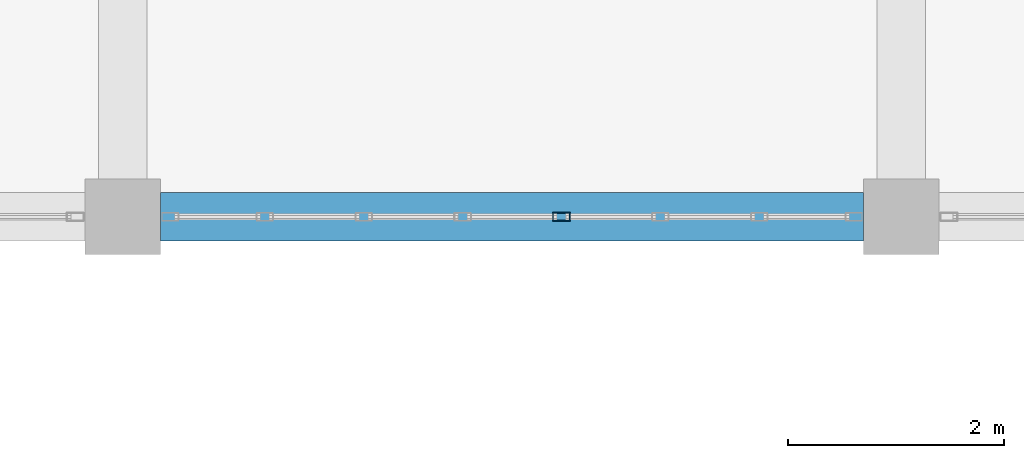
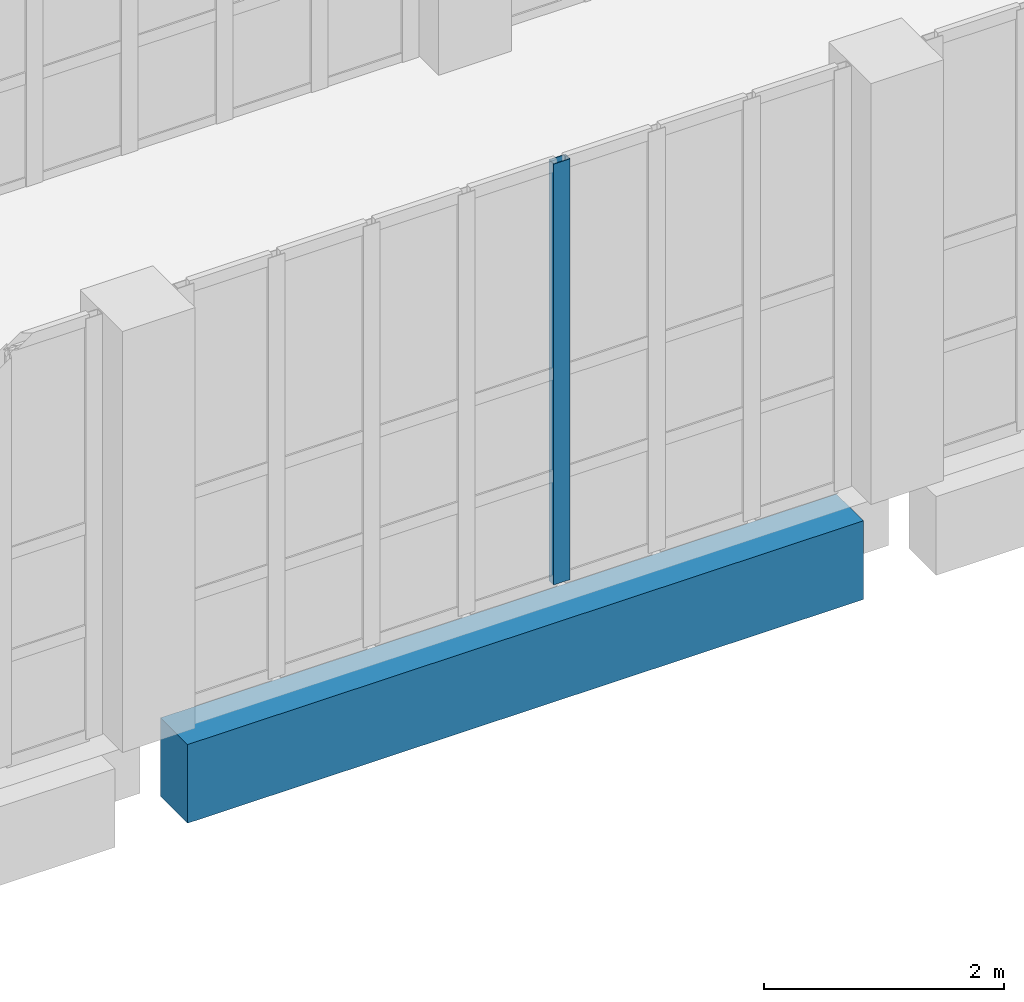
# One storey, part 23 of 108: 1 beam, 1 member, 1 element without a shape of its own.
"""IFC4 building model written with IfcOpenShell, lengths in metres."""

from ifc_helpers import new_model, si_unit, direction, frame, origin, origin_2d, place, context, subcontext, project, spatial, rectangle, hollow_rectangle, extrude, material, layer, layer_set, material_profile, profile_set, type_object, element, aggregate, save


model = new_model("IFC4")

# Units and contexts
model_context = context("Model", 3, precision=1e-05, world=origin(), true_north=direction((0.0, 1.0)))
body_context = subcontext(model_context, "Body", "Model", "MODEL_VIEW")
ifc_project = project(units=[si_unit("LENGTHUNIT", "METRE"), si_unit("AREAUNIT", "SQUARE_METRE"), si_unit("VOLUMEUNIT", "CUBIC_METRE"), si_unit("PLANEANGLEUNIT", "RADIAN"), si_unit("MASSUNIT", "GRAM", prefix="KILO"), si_unit("THERMODYNAMICTEMPERATUREUNIT", "KELVIN"), si_unit("POWERUNIT", "WATT")], contexts=[model_context])

# Site, building, storey
site_placement = place(None, origin())
site = spatial("IfcSite", under=ifc_project, at=site_placement, CompositionType="ELEMENT")
building_placement = place(site_placement, origin())
building = spatial("IfcBuilding", under=site, at=building_placement, Name="Kaldorven Railside Theatre", CompositionType="ELEMENT")
storey_placement = place(building_placement, frame((0.0, 0.0, 5.39990234375)))
storey = spatial("IfcBuildingStorey", under=building, at=storey_placement, Name="L01", CompositionType="ELEMENT", Elevation=5.39990234375)

# Beam
ifc_material_1 = material(Name="Concrete C40/50", Category="concrete")
ifc_material_profile_1 = material_profile(ifc_material_1, rectangle(XDim=0.449951171875, YDim=0.800048828125, at=origin_2d()), Name="RC 450x800")
ifc_profile_set_1 = profile_set([ifc_material_profile_1], Name="Concrete C40/50")
beam_type = type_object("IfcBeamType", Name="BM-RC450x800", PredefinedType="BEAM", material=ifc_profile_set_1)
beam_placement = place(storey_placement, frame((51.550048828125, 69.60009765625, -0.639892578125), z_axis=(1.0, 0.0, 0.0), x_axis=(0.0, 1.0, 0.0)))
element("IfcBeam", 1, at=beam_placement, inside=storey, type_object=beam_type, Name="L01 Girder BGX-L01-051-069", PredefinedType="BEAM", context=body_context, shape_type="SweptSolid", body=[
    extrude(rectangle(XDim=0.449951171875, YDim=0.800048828125, at=origin_2d()), origin(), (0.0, 0.0, 1.0), 6.5),
])

# Curtain wall, member
ifc_material_2 = material(Name="Low-E laminated solar-control glass", Category="glass")
ifc_layer = layer(ifc_material_2, 0.159912109375, Name="Low-E laminated solar-control glass")
ifc_layer_set = layer_set([ifc_layer], Name="Low-E laminated solar-control glass")
curtain_wall_type = type_object("IfcCurtainWallType", Name="CWT-25", PredefinedType="USERDEFINED", material=ifc_layer_set)
curtain_wall_placement = place(storey_placement, origin())
curtain_wall = element("IfcCurtainWall", 2, at=curtain_wall_placement, inside=storey, type_object=curtain_wall_type, Name="Sinusoidal Fluted Curtain Wall CW-L01-BS02", ObjectType="FLUTED GLAZING", PredefinedType="USERDEFINED")
ifc_material_3 = material(Name="Anodised bronze aluminium", Category="aluminium")
ifc_material_profile_2 = material_profile(ifc_material_3, hollow_rectangle(XDim=0.080078125, YDim=0.159912109375, WallThickness=0.00634765625, at=origin_2d()), Name="RHS 160x80x6.3")
ifc_profile_set_2 = profile_set([ifc_material_profile_2], Name="Anodised bronze aluminium")
member_type = type_object("IfcMemberType", Name="CWM-160", PredefinedType="MULLION", material=ifc_profile_set_2)
member_placement = place(storey_placement, frame((55.257080078125, 69.60009765625, 0.0), z_axis=(0.0, 0.0, 1.0), x_axis=(0.0, 1.0, 0.0)))
member = element("IfcMember", 3, at=member_placement, type_object=member_type, Name="CW-L01-BS02 mullion 5", PredefinedType="MULLION", context=body_context, shape_type="SweptSolid", body=[
    extrude(hollow_rectangle(XDim=0.080078125, YDim=0.159912109375, WallThickness=0.00634765625, at=origin_2d()), origin(), (0.0, 0.0, 1.0), 4.280029296875),
])
aggregate(curtain_wall, [member])

save(model, "model.ifc")
